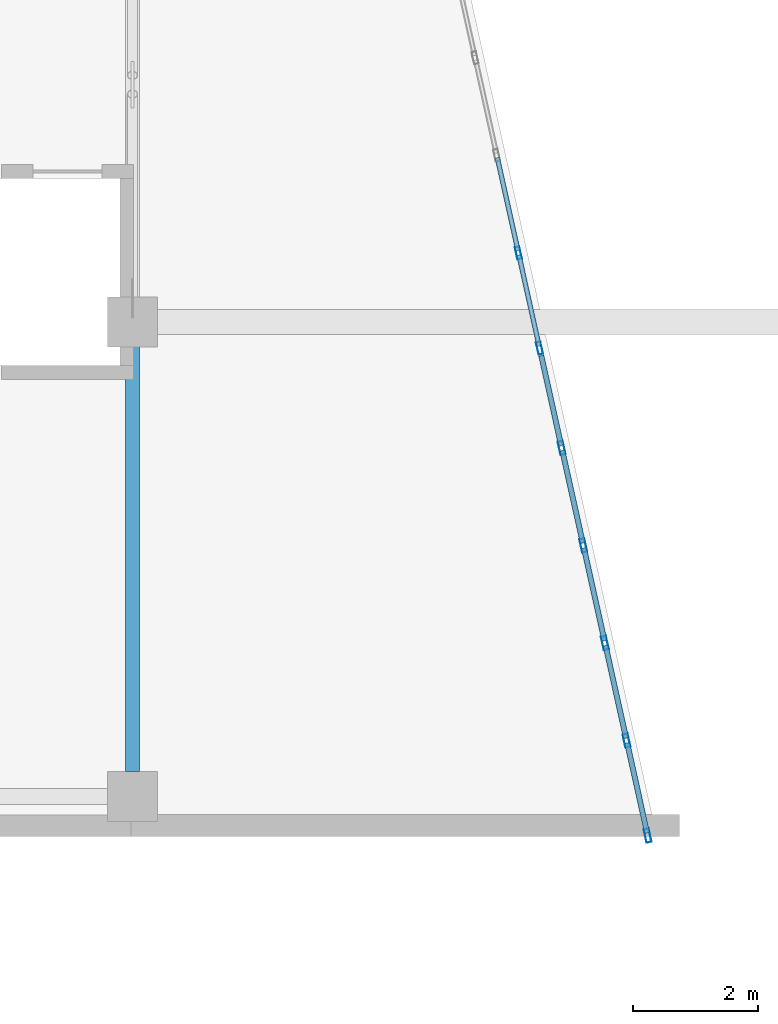
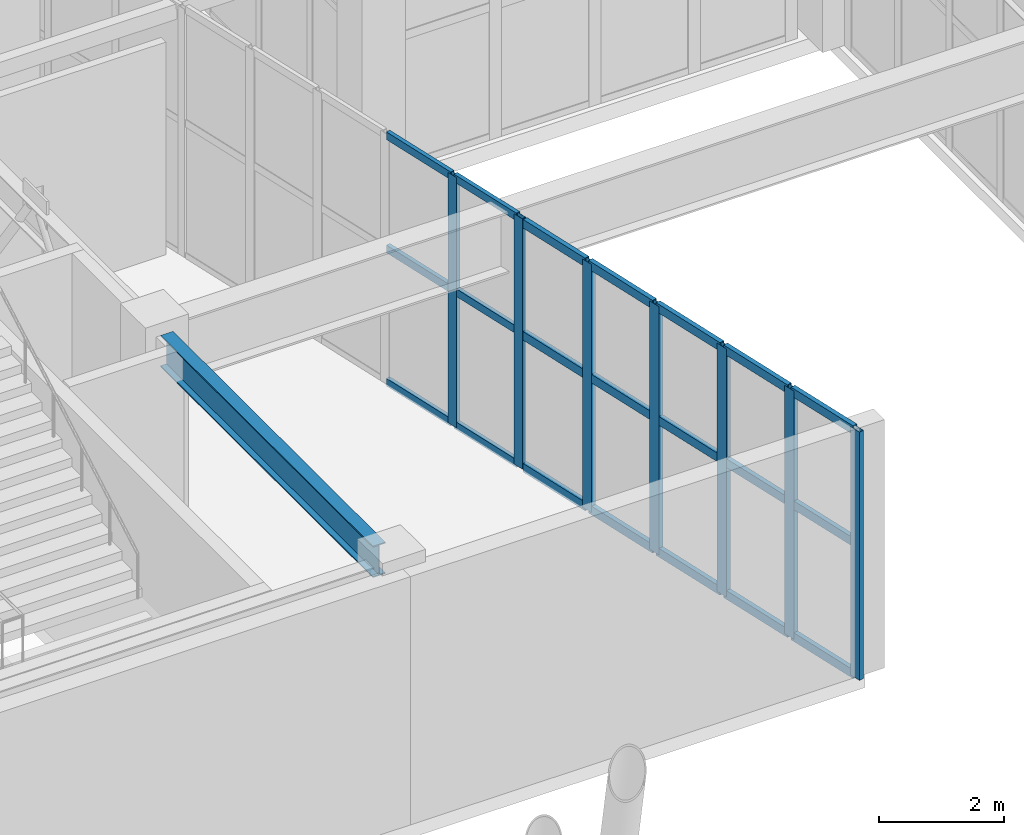
# One storey, part 10 of 128: 28 members, 1 beam, 2 elements without a shape of their own.
"""IFC4 building model written with IfcOpenShell, lengths in metres."""

from ifc_helpers import new_model, si_unit, direction, frame, origin, origin_2d, place, context, subcontext, project, spatial, hollow_rectangle, i_section, extrude, material, layer, layer_set, material_profile, profile_set, type_object, element, aggregate, save


model = new_model("IFC4")

# Units and contexts
model_context = context("Model", 3, precision=1e-05, world=origin(), true_north=direction((0.0, 1.0)))
body_context = subcontext(model_context, "Body", "Model", "MODEL_VIEW")
ifc_project = project(units=[si_unit("LENGTHUNIT", "METRE"), si_unit("AREAUNIT", "SQUARE_METRE"), si_unit("VOLUMEUNIT", "CUBIC_METRE"), si_unit("PLANEANGLEUNIT", "RADIAN"), si_unit("MASSUNIT", "GRAM", prefix="KILO")], contexts=[model_context])

# Site, building, storey
site_placement = place(None, origin())
site = spatial("IfcSite", under=ifc_project, at=site_placement, CompositionType="ELEMENT")
building_placement = place(site_placement, origin())
building = spatial("IfcBuilding", under=site, at=building_placement, Name="Xicomal Pleat Aquarium", CompositionType="ELEMENT")
storey_placement = place(building_placement, frame((0.0, 0.0, 5.39990234375)))
storey = spatial("IfcBuildingStorey", under=building, at=storey_placement, Name="L02", CompositionType="ELEMENT", Elevation=5.39990234375)

# Beam
ifc_material_1 = material(Name="Structural steel A992 Gr 50", Category="steel")
ifc_material_profile_1 = material_profile(ifc_material_1, i_section(OverallWidth=0.22998046875, OverallDepth=0.616943359375, WebThickness=0.01318359375, FlangeThickness=0.022216796875, at=origin_2d()), Name="IR 610x140")
ifc_profile_set_1 = profile_set([ifc_material_profile_1], Name="Structural steel A992 Gr 50")
beam_type = type_object("IfcBeamType", Name="BM-STL-IR610", PredefinedType="BEAM", material=ifc_profile_set_1)
beam_placement = place(storey_placement, frame((35.39990234375, 15.594970703125, 4.551513671875), z_axis=(0.0, 1.0, 0.0), x_axis=(-1.0, 0.0, 0.0)))
element("IfcBeam", 1, at=beam_placement, inside=storey, type_object=beam_type, Name="L02 framing beam FGY-L02-05-C-D", PredefinedType="BEAM", context=body_context, shape_type="SweptSolid", body=[
    extrude(i_section(OverallWidth=0.22998046875, OverallDepth=0.616943359375, WebThickness=0.01318359375, FlangeThickness=0.022216796875, at=origin_2d()), origin(), (0.0, 0.0, 1.0), 6.81005859375),
])

# Curtain wall, members
ifc_material_2 = material(Name="Bronze anodized aluminium 6063-T6", Category="aluminium")
ifc_layer_1 = layer(ifc_material_2, 0.159912109375)
ifc_layer_set_1 = layer_set([ifc_layer_1], Name="Bronze anodized aluminium 6063-T6")
curtain_wall_type_1 = type_object("IfcCurtainWallType", Name="CW-SYS-07", PredefinedType="NOTDEFINED", material=ifc_layer_set_1)
curtain_wall_1_placement = place(storey_placement, origin())
curtain_wall_1 = element("IfcCurtainWall", 2, at=curtain_wall_1_placement, inside=storey, type_object=curtain_wall_type_1, Name="L02 unitised curtain wall CW-L02-139", PredefinedType="NOTDEFINED")
ifc_material_3 = material(Name="Bronze anodized aluminium 6063-T6", Category="aluminium")
ifc_material_profile_2 = material_profile(ifc_material_3, hollow_rectangle(XDim=0.074951171875, YDim=0.199951171875, WallThickness=0.00439453125, at=origin_2d()), Name="ALU MULL 75x200")
ifc_profile_set_2 = profile_set([ifc_material_profile_2], Name="Bronze anodized aluminium 6063-T6")
member_type_1 = type_object("IfcMemberType", Name="CWM-75x200", PredefinedType="MULLION", material=ifc_profile_set_2)
member_1_placement = place(storey_placement, frame((41.583251953125, 23.90576171875, 0.0), z_axis=(0.0, 0.0, 1.0), x_axis=(0.976251689674, 0.216639420253, 0.0)))
member_1 = element("IfcMember", 3, at=member_1_placement, type_object=member_type_1, Name="CW-07 mullion 5", PredefinedType="MULLION", context=body_context, shape_type="SweptSolid", body=[
    extrude(hollow_rectangle(XDim=0.074951171875, YDim=0.199951171875, WallThickness=0.00439453125, at=origin_2d()), origin(), (0.0, 0.0, 1.0), 4.900146484375),
])
member_2_placement = place(storey_placement, frame((41.921875, 22.379638671875, 0.0), z_axis=(0.0, 0.0, 1.0), x_axis=(0.976251689674, 0.216639420253, 0.0)))
member_2 = element("IfcMember", 4, at=member_2_placement, type_object=member_type_1, Name="CW-07 mullion 6", PredefinedType="MULLION", context=body_context, shape_type="SweptSolid", body=[
    extrude(hollow_rectangle(XDim=0.074951171875, YDim=0.199951171875, WallThickness=0.00439453125, at=origin_2d()), origin(), (0.0, 0.0, 1.0), 4.900146484375),
])

ifc_material_4 = material(Name="Bronze anodized aluminium 6063-T6", Category="aluminium")
ifc_layer_2 = layer(ifc_material_4, 0.159912109375)
ifc_layer_set_2 = layer_set([ifc_layer_2], Name="Bronze anodized aluminium 6063-T6")
curtain_wall_type_2 = type_object("IfcCurtainWallType", Name="CW-SYS-12", PredefinedType="NOTDEFINED", material=ifc_layer_set_2)
curtain_wall_2_placement = place(storey_placement, origin())
curtain_wall_2 = element("IfcCurtainWall", 5, at=curtain_wall_2_placement, inside=storey, type_object=curtain_wall_type_2, Name="L02 unitised curtain wall CW-L02-140", PredefinedType="NOTDEFINED")
ifc_material_5 = material(Name="Bronze anodized aluminium 6063-T6", Category="aluminium")
ifc_material_profile_3 = material_profile(ifc_material_5, hollow_rectangle(XDim=0.0849609375, YDim=0.219970703125, WallThickness=0.0048828125, at=origin_2d()), Name="ALU MULL 85x220")
ifc_profile_set_3 = profile_set([ifc_material_profile_3], Name="Bronze anodized aluminium 6063-T6")
member_type_2 = type_object("IfcMemberType", Name="CWM-85x220", PredefinedType="MULLION", material=ifc_profile_set_3)
member_3_placement = place(storey_placement, frame((42.276611328125, 20.780517578125, 0.0), z_axis=(0.0, 0.0, 1.0), x_axis=(0.976272248092, 0.216546756166, 0.0)))
member_3 = element("IfcMember", 6, at=member_3_placement, type_object=member_type_2, Name="CW-12 mullion 2", PredefinedType="MULLION", context=body_context, shape_type="SweptSolid", body=[
    extrude(hollow_rectangle(XDim=0.0849609375, YDim=0.219970703125, WallThickness=0.0048828125, at=origin_2d()), origin(), (0.0, 0.0, 1.0), 4.860107421875),
])
member_4_placement = place(storey_placement, frame((42.623291015625, 19.2177734375, 0.0), z_axis=(0.0, 0.0, 1.0), x_axis=(0.976272248092, 0.216546756166, 0.0)))
member_4 = element("IfcMember", 7, at=member_4_placement, type_object=member_type_2, Name="CW-12 mullion 3", PredefinedType="MULLION", context=body_context, shape_type="SweptSolid", body=[
    extrude(hollow_rectangle(XDim=0.0849609375, YDim=0.219970703125, WallThickness=0.0048828125, at=origin_2d()), origin(), (0.0, 0.0, 1.0), 4.860107421875),
])
member_5_placement = place(storey_placement, frame((42.9697265625, 17.6552734375, 0.0), z_axis=(0.0, 0.0, 1.0), x_axis=(0.976272248092, 0.216546756166, 0.0)))
member_5 = element("IfcMember", 8, at=member_5_placement, type_object=member_type_2, Name="CW-12 mullion 4", PredefinedType="MULLION", context=body_context, shape_type="SweptSolid", body=[
    extrude(hollow_rectangle(XDim=0.0849609375, YDim=0.219970703125, WallThickness=0.0048828125, at=origin_2d()), origin(), (0.0, 0.0, 1.0), 4.860107421875),
])
member_6_placement = place(storey_placement, frame((43.31640625, 16.092529296875, 0.0), z_axis=(0.0, 0.0, 1.0), x_axis=(0.976272248092, 0.216546756166, 0.0)))
member_6 = element("IfcMember", 9, at=member_6_placement, type_object=member_type_2, Name="CW-12 mullion 5", PredefinedType="MULLION", context=body_context, shape_type="SweptSolid", body=[
    extrude(hollow_rectangle(XDim=0.0849609375, YDim=0.219970703125, WallThickness=0.0048828125, at=origin_2d()), origin(), (0.0, 0.0, 1.0), 4.860107421875),
])
member_7_placement = place(storey_placement, frame((43.65380859375, 14.571533203125, 0.0), z_axis=(0.0, 0.0, 1.0), x_axis=(0.976272248092, 0.216546756166, 0.0)))
member_7 = element("IfcMember", 10, at=member_7_placement, type_object=member_type_2, Name="CW-12 mullion 6", PredefinedType="MULLION", context=body_context, shape_type="SweptSolid", body=[
    extrude(hollow_rectangle(XDim=0.0849609375, YDim=0.219970703125, WallThickness=0.0048828125, at=origin_2d()), origin(), (0.0, 0.0, 1.0), 4.860107421875),
])

# Member
ifc_material_6 = material(Name="Bronze anodized aluminium 6063-T6", Category="aluminium")
ifc_material_profile_4 = material_profile(ifc_material_6, hollow_rectangle(XDim=0.074951171875, YDim=0.14990234375, WallThickness=0.00439453125, at=origin_2d()), Name="ALU TRAN 75x150")
ifc_profile_set_4 = profile_set([ifc_material_profile_4], Name="Bronze anodized aluminium 6063-T6")
member_type_3 = type_object("IfcMemberType", Name="CWT-75x150", PredefinedType="USERDEFINED", material=ifc_profile_set_4)
member_8_placement = place(storey_placement, frame((41.244384765625, 25.431884765625, 0.03759765625), z_axis=(0.216811861494, -0.976213407363, 0.0), x_axis=(0.976213407363, 0.216811861494, 0.0)))
member_8 = element("IfcMember", 11, at=member_8_placement, type_object=member_type_3, Name="CW-07 transom 4.1", ObjectType="TRANSOM", PredefinedType="USERDEFINED", context=body_context, shape_type="SweptSolid", body=[
    extrude(hollow_rectangle(XDim=0.074951171875, YDim=0.14990234375, WallThickness=0.00439453125, at=origin_2d()), origin(), (0.0, 0.0, 1.0), 1.52587890625),
])

member_9_placement = place(storey_placement, frame((41.244384765625, 25.431884765625, 2.64599609375), z_axis=(0.216811861494, -0.976213407363, 0.0), x_axis=(0.976213407363, 0.216811861494, 0.0)))
member_9 = element("IfcMember", 12, at=member_9_placement, type_object=member_type_3, Name="CW-07 transom 4.2", ObjectType="TRANSOM", PredefinedType="USERDEFINED", context=body_context, shape_type="SweptSolid", body=[
    extrude(hollow_rectangle(XDim=0.074951171875, YDim=0.14990234375, WallThickness=0.00439453125, at=origin_2d()), origin(), (0.0, 0.0, 1.0), 1.52587890625),
])

member_10_placement = place(storey_placement, frame((41.244384765625, 25.431884765625, 4.862548828125), z_axis=(0.216811861494, -0.976213407363, 0.0), x_axis=(0.976213407363, 0.216811861494, 0.0)))
member_10 = element("IfcMember", 13, at=member_10_placement, type_object=member_type_3, Name="CW-07 transom 4.3", ObjectType="TRANSOM", PredefinedType="USERDEFINED", context=body_context, shape_type="SweptSolid", body=[
    extrude(hollow_rectangle(XDim=0.074951171875, YDim=0.14990234375, WallThickness=0.00439453125, at=origin_2d()), origin(), (0.0, 0.0, 1.0), 1.52587890625),
])

member_11_placement = place(storey_placement, frame((41.59130859375, 23.869140625, 0.03759765625), z_axis=(0.216704647644, -0.976237212817, 0.0), x_axis=(0.976237212817, 0.216704647644, 0.0)))
member_11 = element("IfcMember", 14, at=member_11_placement, type_object=member_type_3, Name="CW-07 transom 5.1", ObjectType="TRANSOM", PredefinedType="USERDEFINED", context=body_context, shape_type="SweptSolid", body=[
    extrude(hollow_rectangle(XDim=0.074951171875, YDim=0.14990234375, WallThickness=0.00439453125, at=origin_2d()), origin(), (0.0, 0.0, 1.0), 1.48828125),
])

member_12_placement = place(storey_placement, frame((41.59130859375, 23.869140625, 2.64599609375), z_axis=(0.216704647644, -0.976237212817, 0.0), x_axis=(0.976237212817, 0.216704647644, 0.0)))
member_12 = element("IfcMember", 15, at=member_12_placement, type_object=member_type_3, Name="CW-07 transom 5.2", ObjectType="TRANSOM", PredefinedType="USERDEFINED", context=body_context, shape_type="SweptSolid", body=[
    extrude(hollow_rectangle(XDim=0.074951171875, YDim=0.14990234375, WallThickness=0.00439453125, at=origin_2d()), origin(), (0.0, 0.0, 1.0), 1.48828125),
])

member_13_placement = place(storey_placement, frame((41.59130859375, 23.869140625, 4.862548828125), z_axis=(0.216704647644, -0.976237212817, 0.0), x_axis=(0.976237212817, 0.216704647644, 0.0)))
member_13 = element("IfcMember", 16, at=member_13_placement, type_object=member_type_3, Name="CW-07 transom 5.3", ObjectType="TRANSOM", PredefinedType="USERDEFINED", context=body_context, shape_type="SweptSolid", body=[
    extrude(hollow_rectangle(XDim=0.074951171875, YDim=0.14990234375, WallThickness=0.00439453125, at=origin_2d()), origin(), (0.0, 0.0, 1.0), 1.48828125),
])

aggregate(curtain_wall_1, [member_1, member_2, member_8, member_9, member_10, member_11, member_12, member_13])

ifc_material_7 = material(Name="Bronze anodized aluminium 6063-T6", Category="aluminium")
ifc_material_profile_5 = material_profile(ifc_material_7, hollow_rectangle(XDim=0.0849609375, YDim=0.169921875, WallThickness=0.0048828125, at=origin_2d()), Name="ALU TRAN 85x170")
ifc_profile_set_5 = profile_set([ifc_material_profile_5], Name="Bronze anodized aluminium 6063-T6")
member_type_4 = type_object("IfcMemberType", Name="CWT-85x170", PredefinedType="USERDEFINED", material=ifc_profile_set_5)
member_14_placement = place(storey_placement, frame((41.948486328125, 22.260009765625, 0.04248046875), z_axis=(0.216474124371, -0.976288355701, 0.0), x_axis=(0.976288355701, 0.216474124371, 0.0)))
member_14 = element("IfcMember", 17, at=member_14_placement, type_object=member_type_4, Name="CW-12 transom 1.1", ObjectType="TRANSOM", PredefinedType="USERDEFINED", context=body_context, shape_type="SweptSolid", body=[
    extrude(hollow_rectangle(XDim=0.0849609375, YDim=0.169921875, WallThickness=0.0048828125, at=origin_2d()), origin(), (0.0, 0.0, 1.0), 1.472900390625),
])

member_15_placement = place(storey_placement, frame((41.948486328125, 22.260009765625, 2.6240234375), z_axis=(0.216474124371, -0.976288355701, 0.0), x_axis=(0.976288355701, 0.216474124371, 0.0)))
member_15 = element("IfcMember", 18, at=member_15_placement, type_object=member_type_4, Name="CW-12 transom 1.2", ObjectType="TRANSOM", PredefinedType="USERDEFINED", context=body_context, shape_type="SweptSolid", body=[
    extrude(hollow_rectangle(XDim=0.0849609375, YDim=0.169921875, WallThickness=0.0048828125, at=origin_2d()), origin(), (0.0, 0.0, 1.0), 1.472900390625),
])

member_16_placement = place(storey_placement, frame((41.948486328125, 22.260009765625, 4.817626953125), z_axis=(0.216474124371, -0.976288355701, 0.0), x_axis=(0.976288355701, 0.216474124371, 0.0)))
member_16 = element("IfcMember", 19, at=member_16_placement, type_object=member_type_4, Name="CW-12 transom 1.3", ObjectType="TRANSOM", PredefinedType="USERDEFINED", context=body_context, shape_type="SweptSolid", body=[
    extrude(hollow_rectangle(XDim=0.0849609375, YDim=0.169921875, WallThickness=0.0048828125, at=origin_2d()), origin(), (0.0, 0.0, 1.0), 1.472900390625),
])

member_17_placement = place(storey_placement, frame((42.285888671875, 20.739013671875, 0.04248046875), z_axis=(0.216487000929, -0.97628550047, 0.0), x_axis=(0.97628550047, 0.216487000929, 0.0)))
member_17 = element("IfcMember", 20, at=member_17_placement, type_object=member_type_4, Name="CW-12 transom 2.1", ObjectType="TRANSOM", PredefinedType="USERDEFINED", context=body_context, shape_type="SweptSolid", body=[
    extrude(hollow_rectangle(XDim=0.0849609375, YDim=0.169921875, WallThickness=0.0048828125, at=origin_2d()), origin(), (0.0, 0.0, 1.0), 1.515625),
])

member_18_placement = place(storey_placement, frame((42.285888671875, 20.739013671875, 2.6240234375), z_axis=(0.216487000929, -0.97628550047, 0.0), x_axis=(0.97628550047, 0.216487000929, 0.0)))
member_18 = element("IfcMember", 21, at=member_18_placement, type_object=member_type_4, Name="CW-12 transom 2.2", ObjectType="TRANSOM", PredefinedType="USERDEFINED", context=body_context, shape_type="SweptSolid", body=[
    extrude(hollow_rectangle(XDim=0.0849609375, YDim=0.169921875, WallThickness=0.0048828125, at=origin_2d()), origin(), (0.0, 0.0, 1.0), 1.515625),
])

member_19_placement = place(storey_placement, frame((42.285888671875, 20.739013671875, 4.817626953125), z_axis=(0.216487000929, -0.97628550047, 0.0), x_axis=(0.97628550047, 0.216487000929, 0.0)))
member_19 = element("IfcMember", 22, at=member_19_placement, type_object=member_type_4, Name="CW-12 transom 2.3", ObjectType="TRANSOM", PredefinedType="USERDEFINED", context=body_context, shape_type="SweptSolid", body=[
    extrude(hollow_rectangle(XDim=0.0849609375, YDim=0.169921875, WallThickness=0.0048828125, at=origin_2d()), origin(), (0.0, 0.0, 1.0), 1.515625),
])

member_20_placement = place(storey_placement, frame((42.63232421875, 19.17626953125, 0.04248046875), z_axis=(0.216674591458, -0.976243884189, 0.0), x_axis=(0.976243884189, 0.216674591458, 0.0)))
member_20 = element("IfcMember", 23, at=member_20_placement, type_object=member_type_4, Name="CW-12 transom 3.1", ObjectType="TRANSOM", PredefinedType="USERDEFINED", context=body_context, shape_type="SweptSolid", body=[
    extrude(hollow_rectangle(XDim=0.0849609375, YDim=0.169921875, WallThickness=0.0048828125, at=origin_2d()), origin(), (0.0, 0.0, 1.0), 1.515380859375),
])

member_21_placement = place(storey_placement, frame((42.63232421875, 19.17626953125, 2.6240234375), z_axis=(0.216674591458, -0.976243884189, 0.0), x_axis=(0.976243884189, 0.216674591458, 0.0)))
member_21 = element("IfcMember", 24, at=member_21_placement, type_object=member_type_4, Name="CW-12 transom 3.2", ObjectType="TRANSOM", PredefinedType="USERDEFINED", context=body_context, shape_type="SweptSolid", body=[
    extrude(hollow_rectangle(XDim=0.0849609375, YDim=0.169921875, WallThickness=0.0048828125, at=origin_2d()), origin(), (0.0, 0.0, 1.0), 1.515380859375),
])

member_22_placement = place(storey_placement, frame((42.63232421875, 19.17626953125, 4.817626953125), z_axis=(0.216674591458, -0.976243884189, 0.0), x_axis=(0.976243884189, 0.216674591458, 0.0)))
member_22 = element("IfcMember", 25, at=member_22_placement, type_object=member_type_4, Name="CW-12 transom 3.3", ObjectType="TRANSOM", PredefinedType="USERDEFINED", context=body_context, shape_type="SweptSolid", body=[
    extrude(hollow_rectangle(XDim=0.0849609375, YDim=0.169921875, WallThickness=0.0048828125, at=origin_2d()), origin(), (0.0, 0.0, 1.0), 1.515380859375),
])

member_23_placement = place(storey_placement, frame((42.97900390625, 17.61376953125, 0.04248046875), z_axis=(0.216487000929, -0.97628550047, 0.0), x_axis=(0.97628550047, 0.216487000929, 0.0)))
member_23 = element("IfcMember", 26, at=member_23_placement, type_object=member_type_4, Name="CW-12 transom 4.1", ObjectType="TRANSOM", PredefinedType="USERDEFINED", context=body_context, shape_type="SweptSolid", body=[
    extrude(hollow_rectangle(XDim=0.0849609375, YDim=0.169921875, WallThickness=0.0048828125, at=origin_2d()), origin(), (0.0, 0.0, 1.0), 1.515625),
])

member_24_placement = place(storey_placement, frame((42.97900390625, 17.61376953125, 2.6240234375), z_axis=(0.216487000929, -0.97628550047, 0.0), x_axis=(0.97628550047, 0.216487000929, 0.0)))
member_24 = element("IfcMember", 27, at=member_24_placement, type_object=member_type_4, Name="CW-12 transom 4.2", ObjectType="TRANSOM", PredefinedType="USERDEFINED", context=body_context, shape_type="SweptSolid", body=[
    extrude(hollow_rectangle(XDim=0.0849609375, YDim=0.169921875, WallThickness=0.0048828125, at=origin_2d()), origin(), (0.0, 0.0, 1.0), 1.515625),
])

member_25_placement = place(storey_placement, frame((42.97900390625, 17.61376953125, 4.817626953125), z_axis=(0.216487000929, -0.97628550047, 0.0), x_axis=(0.97628550047, 0.216487000929, 0.0)))
member_25 = element("IfcMember", 28, at=member_25_placement, type_object=member_type_4, Name="CW-12 transom 4.3", ObjectType="TRANSOM", PredefinedType="USERDEFINED", context=body_context, shape_type="SweptSolid", body=[
    extrude(hollow_rectangle(XDim=0.0849609375, YDim=0.169921875, WallThickness=0.0048828125, at=origin_2d()), origin(), (0.0, 0.0, 1.0), 1.515625),
])

member_26_placement = place(storey_placement, frame((43.32568359375, 16.051025390625, 0.04248046875), z_axis=(0.216474124371, -0.976288355701, 0.0), x_axis=(0.976288355701, 0.216474124371, 0.0)))
member_26 = element("IfcMember", 29, at=member_26_placement, type_object=member_type_4, Name="CW-12 transom 5.1", ObjectType="TRANSOM", PredefinedType="USERDEFINED", context=body_context, shape_type="SweptSolid", body=[
    extrude(hollow_rectangle(XDim=0.0849609375, YDim=0.169921875, WallThickness=0.0048828125, at=origin_2d()), origin(), (0.0, 0.0, 1.0), 1.472900390625),
])

member_27_placement = place(storey_placement, frame((43.32568359375, 16.051025390625, 2.6240234375), z_axis=(0.216474124371, -0.976288355701, 0.0), x_axis=(0.976288355701, 0.216474124371, 0.0)))
member_27 = element("IfcMember", 30, at=member_27_placement, type_object=member_type_4, Name="CW-12 transom 5.2", ObjectType="TRANSOM", PredefinedType="USERDEFINED", context=body_context, shape_type="SweptSolid", body=[
    extrude(hollow_rectangle(XDim=0.0849609375, YDim=0.169921875, WallThickness=0.0048828125, at=origin_2d()), origin(), (0.0, 0.0, 1.0), 1.472900390625),
])

member_28_placement = place(storey_placement, frame((43.32568359375, 16.051025390625, 4.817626953125), z_axis=(0.216474124371, -0.976288355701, 0.0), x_axis=(0.976288355701, 0.216474124371, 0.0)))
member_28 = element("IfcMember", 31, at=member_28_placement, type_object=member_type_4, Name="CW-12 transom 5.3", ObjectType="TRANSOM", PredefinedType="USERDEFINED", context=body_context, shape_type="SweptSolid", body=[
    extrude(hollow_rectangle(XDim=0.0849609375, YDim=0.169921875, WallThickness=0.0048828125, at=origin_2d()), origin(), (0.0, 0.0, 1.0), 1.472900390625),
])

aggregate(curtain_wall_2, [member_3, member_4, member_5, member_6, member_7, member_14, member_15, member_16, member_17, member_18, member_19, member_20, member_21, member_22, member_23, member_24, member_25, member_26, member_27, member_28])

save(model, "model.ifc")
